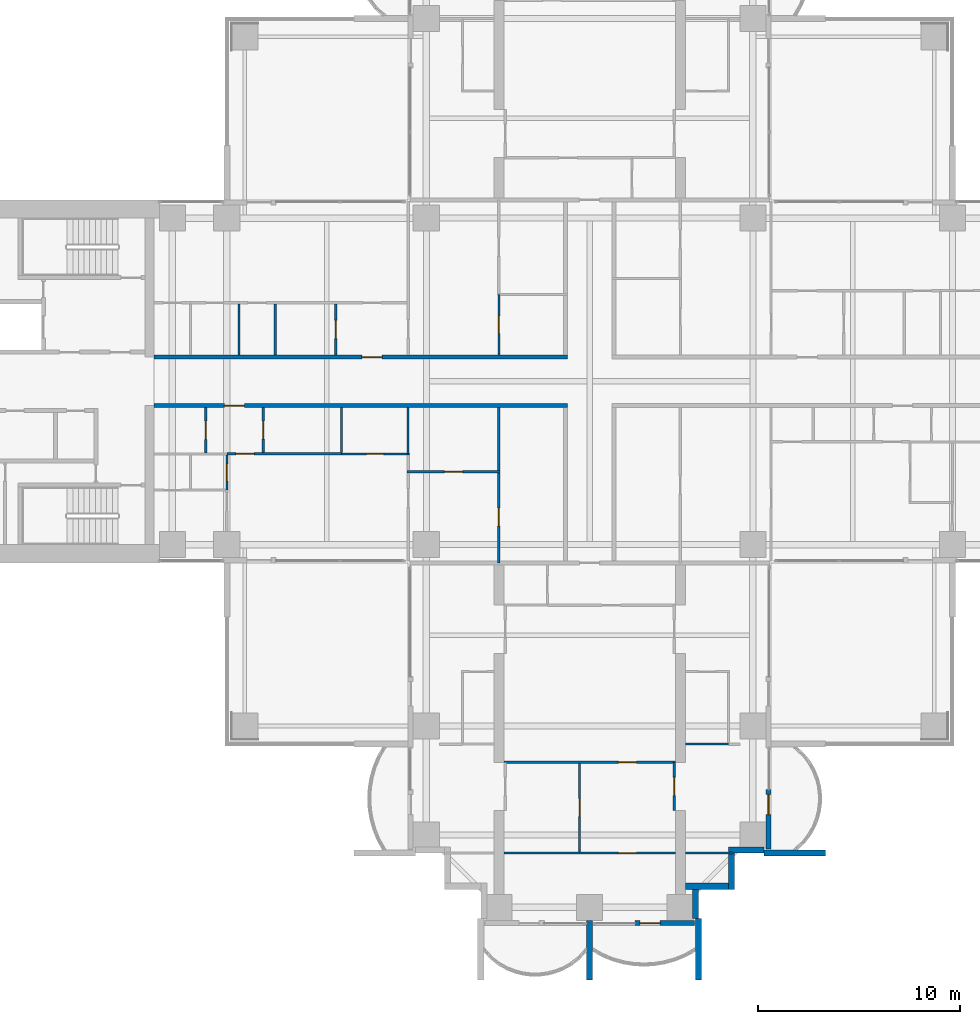
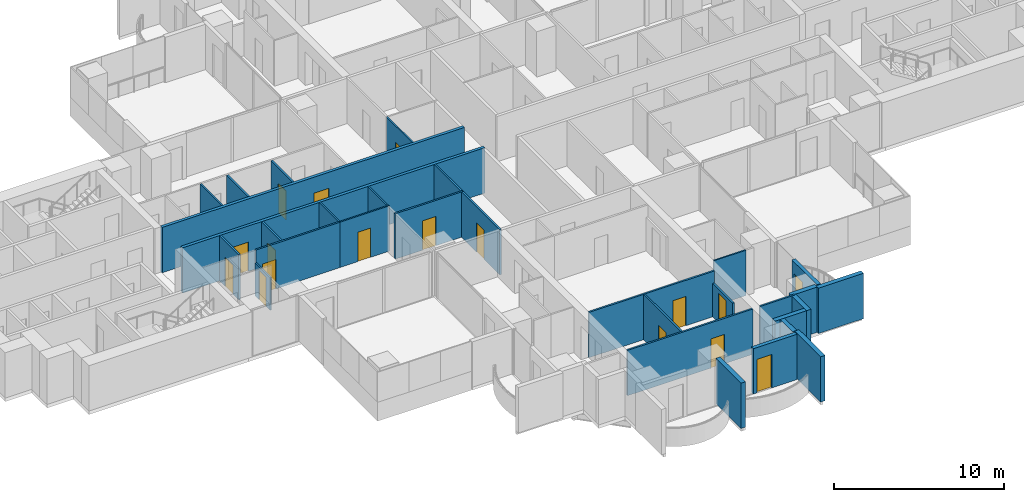
# One storey, part 11 of 21: 30 walls, 17 doors, 17 openings.
"""IFC4 building model written with IfcOpenShell, lengths in metres."""

from ifc_helpers import new_model, si_unit, direction, frame, frame_2d, origin, place, context, subcontext, project, spatial, rectangle, extrude, material, layer, layer_set, type_object, element, fill, save


model = new_model("IFC4")

# Units and contexts
model_context = context("Model", 3, precision=1e-05, world=origin(), true_north=direction((0.0, 1.0)))
body_context = subcontext(model_context, "Body", "Model", "MODEL_VIEW")
ifc_project = project(units=[si_unit("LENGTHUNIT", "METRE"), si_unit("AREAUNIT", "SQUARE_METRE"), si_unit("VOLUMEUNIT", "CUBIC_METRE"), si_unit("PLANEANGLEUNIT", "RADIAN"), si_unit("MASSUNIT", "GRAM", prefix="KILO")], contexts=[model_context])

# Site, building, storey
site_placement = place(None, origin())
site = spatial("IfcSite", under=ifc_project, at=site_placement, CompositionType="ELEMENT")
building_placement = place(site_placement, origin())
building = spatial("IfcBuilding", under=site, at=building_placement, Name="Perihelion Cross Residences", CompositionType="ELEMENT")
storey_placement = place(building_placement, frame((0.0, 0.0, 64.5)))
storey = spatial("IfcBuildingStorey", under=building, at=storey_placement, Name="L13", CompositionType="ELEMENT", Elevation=64.5)

# Wall, opening, door
ifc_material_1 = material(Name="Plasterboard partition")
ifc_layer_1 = layer(ifc_material_1, 0.199951171875)
ifc_layer_set_1 = layer_set([ifc_layer_1], Name="Apartment separation wall 200")
wall_type_1 = type_object("IfcWallType", Name="Apartment separation wall 200", PredefinedType="PARTITIONING", material=ifc_layer_set_1)
wall_1_placement = place(storey_placement, frame((-21.60009765625, 1.199951171875, 0.0), z_axis=(0.0, 0.0, 1.0), x_axis=(1.0, 0.0, 0.0)))
wall_1 = element("IfcWall", 1, at=wall_1_placement, inside=storey, type_object=wall_type_1, Name="Partition L13 W005", PredefinedType="PARTITIONING", context=body_context, shape_type="SweptSolid", body=[
    extrude(rectangle(XDim=20.5, YDim=0.199951171875, at=frame_2d((10.25, 0.0))), origin(), (0.0, 0.0, 1.0), 3.25),
])
opening_1_placement = place(wall_1_placement, frame((10.300048828125, 0.0, 0.0)))
opening_1 = element("IfcOpeningElement", 2, at=opening_1_placement, cuts=wall_1, Name="Opening L13.A55", PredefinedType="OPENING", context=body_context, shape_type="SweptSolid", body=[
    extrude(rectangle(XDim=1.0, YDim=2.10009765625, at=frame_2d((0.5, 1.050048828125))), frame((0.0, 0.10986328125, 0.0), z_axis=(0.0, -1.0, 0.0), x_axis=(1.0, 0.0, 0.0)), (0.0, 0.0, 1.0), 0.219970703125),
])
ifc_material_2 = material(Name="Timber door leaf", Category="wood")
door_type_1 = type_object("IfcDoorType", Name="Flat entrance door 1000 x 2100", OperationType="SINGLE_SWING_LEFT", PredefinedType="DOOR", material=ifc_material_2)
door_1_placement = place(opening_1_placement, origin())
door_1 = element("IfcDoor", 3, at=door_1_placement, inside=storey, type_object=door_type_1, Name="Door L13.A55", OperationType="SINGLE_SWING_LEFT", OverallHeight=2.10009765625, OverallWidth=1.0, PredefinedType="DOOR", context=body_context, shape_type="SweptSolid", body=[
    extrude(rectangle(XDim=1.0, YDim=2.10009765625, at=frame_2d((0.5, 1.050048828125))), frame((0.0, 0.02490234375, 0.0), z_axis=(0.0, -1.0, 0.0), x_axis=(1.0, 0.0, 0.0)), (0.0, 0.0, 1.0), 0.050048828125),
])
fill(opening_1, door_1)

wall_2_placement = place(storey_placement, frame((-1.10009765625, -1.199951171875, 0.0), z_axis=(0.0, 0.0, 1.0), x_axis=(-1.0, 0.0, 0.0)))
wall_2 = element("IfcWall", 4, at=wall_2_placement, inside=storey, type_object=wall_type_1, Name="Partition L13 W007", PredefinedType="PARTITIONING", context=body_context, shape_type="SweptSolid", body=[
    extrude(rectangle(XDim=20.5, YDim=0.199951171875, at=frame_2d((10.25, 0.0))), origin(), (0.0, 0.0, 1.0), 3.25),
])
opening_2_placement = place(wall_2_placement, frame((16.02490234375, 0.0, 0.0)))
opening_2 = element("IfcOpeningElement", 5, at=opening_2_placement, cuts=wall_2, Name="Opening L13.A56", PredefinedType="OPENING", context=body_context, shape_type="SweptSolid", body=[
    extrude(rectangle(XDim=1.0, YDim=2.10009765625, at=frame_2d((0.5, 1.050048828125))), frame((0.0, 0.10986328125, 0.0), z_axis=(0.0, -1.0, 0.0), x_axis=(1.0, 0.0, 0.0)), (0.0, 0.0, 1.0), 0.219970703125),
])
door_2_placement = place(opening_2_placement, origin())
door_2 = element("IfcDoor", 6, at=door_2_placement, inside=storey, type_object=door_type_1, Name="Door L13.A56", OperationType="SINGLE_SWING_RIGHT", OverallHeight=2.10009765625, OverallWidth=1.0, PredefinedType="DOOR", context=body_context, shape_type="SweptSolid", body=[
    extrude(rectangle(XDim=1.0, YDim=2.10009765625, at=frame_2d((0.5, 1.050048828125))), frame((0.0, 0.02490234375, 0.0), z_axis=(0.0, -1.0, 0.0), x_axis=(1.0, 0.0, 0.0)), (0.0, 0.0, 1.0), 0.050048828125),
])
fill(opening_2, door_2)

ifc_material_3 = material(Name="Concrete C30/37, bronze-clad", Category="concrete")
ifc_layer_2 = layer(ifc_material_3, 0.25)
ifc_layer_set_2 = layer_set([ifc_layer_2], Name="Bronze-clad pier wall 250")
wall_type_2 = type_object("IfcWallType", Name="Bronze-clad pier wall 250", PredefinedType="SOLIDWALL", material=ifc_layer_set_2)
wall_3_placement = place(storey_placement, frame((2.25, -26.875, 0.0), z_axis=(0.0, 0.0, 1.0), x_axis=(1.0, 0.0, 0.0)))
wall_3 = element("IfcWall", 7, at=wall_3_placement, inside=storey, type_object=wall_type_2, Name="Wall FW1 L13 south tip south bay 2 pier", PredefinedType="SOLIDWALL", context=body_context, shape_type="SweptSolid", body=[
    extrude(rectangle(XDim=2.949951171875, YDim=0.25, at=frame_2d((1.47509765625, 0.0))), origin(), (0.0, 0.0, 1.0), 3.25),
])
opening_3_placement = place(wall_3_placement, frame((0.25, 0.0, 0.0)))
opening_3 = element("IfcOpeningElement", 8, at=opening_3_placement, cuts=wall_3, Name="Opening L13.E13", PredefinedType="OPENING", context=body_context, shape_type="SweptSolid", body=[
    extrude(rectangle(XDim=1.0, YDim=2.39990234375, at=frame_2d((0.5, 1.199951171875))), frame((0.0, 0.135009765625, 0.0), z_axis=(0.0, -1.0, 0.0), x_axis=(1.0, 0.0, 0.0)), (0.0, 0.0, 1.0), 0.27001953125),
])
ifc_material_4 = material(Name="Bronze anodised aluminium, glazed", Category="aluminium")
door_type_2 = type_object("IfcDoorType", Name="Balcony door 1000 x 2400", OperationType="NOTDEFINED", PredefinedType="DOOR", material=ifc_material_4)
door_3_placement = place(opening_3_placement, origin())
door_3 = element("IfcDoor", 9, at=door_3_placement, inside=storey, type_object=door_type_2, Name="Door L13.E13 south tip south bay 2", OperationType="SINGLE_SWING_RIGHT", OverallHeight=2.39990234375, OverallWidth=1.0, PredefinedType="DOOR", context=body_context, shape_type="SweptSolid", body=[
    extrude(rectangle(XDim=1.0, YDim=2.39990234375, at=frame_2d((0.5, 1.199951171875))), frame((0.0, 0.02490234375, 0.0), z_axis=(0.0, -1.0, 0.0), x_axis=(1.0, 0.0, 0.0)), (0.0, 0.0, 1.0), 0.050048828125),
])
fill(opening_3, door_3)

wall_4_placement = place(storey_placement, frame((8.875, -23.199951171875, 0.0), z_axis=(0.0, 0.0, 1.0), x_axis=(0.0, 1.0, 0.0)))
wall_4 = element("IfcWall", 10, at=wall_4_placement, inside=storey, type_object=wall_type_2, Name="Wall FW1 L13 south side east bay 1 pier", PredefinedType="SOLIDWALL", context=body_context, shape_type="SweptSolid", body=[
    extrude(rectangle(XDim=2.949951171875, YDim=0.25, at=frame_2d((1.47509765625, 0.0))), origin(), (0.0, 0.0, 1.0), 3.25),
])
opening_4_placement = place(wall_4_placement, frame((1.699951171875, 0.0, 0.0)))
opening_4 = element("IfcOpeningElement", 11, at=opening_4_placement, cuts=wall_4, Name="Opening L13.E14", PredefinedType="OPENING", context=body_context, shape_type="SweptSolid", body=[
    extrude(rectangle(XDim=1.0, YDim=2.39990234375, at=frame_2d((0.5, 1.199951171875))), frame((0.0, 0.135009765625, 0.0), z_axis=(0.0, -1.0, 0.0), x_axis=(1.0, 0.0, 0.0)), (0.0, 0.0, 1.0), 0.27001953125),
])
door_4_placement = place(opening_4_placement, origin())
door_4 = element("IfcDoor", 12, at=door_4_placement, inside=storey, type_object=door_type_2, Name="Door L13.E14 south side east bay 1", OperationType="SINGLE_SWING_LEFT", OverallHeight=2.39990234375, OverallWidth=1.0, PredefinedType="DOOR", context=body_context, shape_type="SweptSolid", body=[
    extrude(rectangle(XDim=1.0, YDim=2.39990234375, at=frame_2d((0.5, 1.199951171875))), frame((0.0, 0.02490234375, 0.0), z_axis=(0.0, -1.0, 0.0), x_axis=(1.0, 0.0, 0.0)), (0.0, 0.0, 1.0), 0.050048828125),
])
fill(opening_4, door_4)

# Walls
ifc_material_5 = material(Name="Concrete C30/37, bronze-clad", Category="concrete")
ifc_layer_3 = layer(ifc_material_5, 0.300048828125)
ifc_layer_set_3 = layer_set([ifc_layer_3], Name="Bronze-clad serration wall 300")
wall_type_3 = type_object("IfcWallType", Name="Bronze-clad serration wall 300", PredefinedType="SOLIDWALL", material=ifc_layer_set_3)
wall_5_placement = place(storey_placement, frame((5.25, -26.64990234375, 0.0), z_axis=(0.0, 0.0, 1.0), x_axis=(0.0, 1.0, 0.0)))
element("IfcWall", 13, at=wall_5_placement, inside=storey, type_object=wall_type_3, Name="Wall SR1 L13 south corner south-east 1", PredefinedType="SOLIDWALL", context=body_context, shape_type="SweptSolid", body=[
    extrude(rectangle(XDim=1.449951171875, YDim=0.300048828125, at=frame_2d((0.72509765625, 0.0))), origin(), (0.0, 0.0, 1.0), 3.25),
])
wall_6_placement = place(storey_placement, frame((4.75, -25.050048828125, 0.0), z_axis=(0.0, 0.0, 1.0), x_axis=(1.0, 0.0, 0.0)))
element("IfcWall", 14, at=wall_6_placement, inside=storey, type_object=wall_type_3, Name="Wall SR1 L13 south corner south-east 2", PredefinedType="SOLIDWALL", context=body_context, shape_type="SweptSolid", body=[
    extrude(rectangle(XDim=2.14990234375, YDim=0.300048828125, at=frame_2d((1.074951171875, 0.0))), origin(), (0.0, 0.0, 1.0), 3.25),
])
wall_7_placement = place(storey_placement, frame((7.050048828125, -25.199951171875, 0.0), z_axis=(0.0, 0.0, 1.0), x_axis=(0.0, 1.0, 0.0)))
element("IfcWall", 15, at=wall_7_placement, inside=storey, type_object=wall_type_3, Name="Wall SR1 L13 south corner south-east 3", PredefinedType="SOLIDWALL", context=body_context, shape_type="SweptSolid", body=[
    extrude(rectangle(XDim=1.800048828125, YDim=0.300048828125, at=frame_2d((0.89990234375, 0.0))), origin(), (0.0, 0.0, 1.0), 3.25),
])
wall_8_placement = place(storey_placement, frame((6.89990234375, -23.25, 0.0), z_axis=(0.0, 0.0, 1.0), x_axis=(1.0, 0.0, 0.0)))
element("IfcWall", 16, at=wall_8_placement, inside=storey, type_object=wall_type_3, Name="Wall SR1 L13 south corner south-east 4", PredefinedType="SOLIDWALL", context=body_context, shape_type="SweptSolid", body=[
    extrude(rectangle(XDim=1.75, YDim=0.300048828125, at=frame_2d((0.875, 0.0))), origin(), (0.0, 0.0, 1.0), 3.25),
])

# Wall, opening, door
ifc_material_6 = material(Name="Plasterboard partition")
ifc_layer_4 = layer(ifc_material_6, 0.1201171875)
ifc_layer_set_4 = layer_set([ifc_layer_4], Name="Infill panel 120")
wall_type_4 = type_object("IfcWallType", Name="Infill panel 120", PredefinedType="PARTITIONING", material=ifc_layer_set_4)
wall_9_placement = place(storey_placement, frame((4.18994140625, -18.89990234375, 0.0), z_axis=(0.0, 0.0, 1.0), x_axis=(0.0, -1.0, 0.0)))
wall_9 = element("IfcWall", 17, at=wall_9_placement, inside=storey, type_object=wall_type_4, Name="Partition L13 WI06", PredefinedType="PARTITIONING", context=body_context, shape_type="SweptSolid", body=[
    extrude(rectangle(XDim=2.400146484375, YDim=0.1201171875, at=frame_2d((1.2001953125, 0.0))), origin(), (0.0, 0.0, 1.0), 2.39990234375),
])
opening_5_placement = place(wall_9_placement, frame((0.75, 0.0, 0.0)))
opening_5 = element("IfcOpeningElement", 18, at=opening_5_placement, cuts=wall_9, Name="Opening L13.A62", PredefinedType="OPENING", context=body_context, shape_type="SweptSolid", body=[
    extrude(rectangle(XDim=0.89990234375, YDim=2.10009765625, at=frame_2d((0.449951171875, 1.050048828125))), frame((0.0, 0.070068359375, 0.0), z_axis=(0.0, -1.0, 0.0), x_axis=(1.0, 0.0, 0.0)), (0.0, 0.0, 1.0), 0.14013671875),
])
ifc_material_7 = material(Name="Timber door leaf", Category="wood")
door_type_3 = type_object("IfcDoorType", Name="Interior room door 900 x 2100", OperationType="SINGLE_SWING_LEFT", PredefinedType="DOOR", material=ifc_material_7)
door_5_placement = place(opening_5_placement, origin())
door_5 = element("IfcDoor", 19, at=door_5_placement, inside=storey, type_object=door_type_3, Name="Door L13.A62", OperationType="SINGLE_SWING_LEFT", OverallHeight=2.10009765625, OverallWidth=0.89990234375, PredefinedType="DOOR", context=body_context, shape_type="SweptSolid", body=[
    extrude(rectangle(XDim=0.89990234375, YDim=2.10009765625, at=frame_2d((0.449951171875, 1.050048828125))), frame((0.0, 0.02490234375, 0.0), z_axis=(0.0, -1.0, 0.0), x_axis=(1.0, 0.0, 0.0)), (0.0, 0.0, 1.0), 0.050048828125),
])
fill(opening_5, door_5)

ifc_material_8 = material(Name="Plasterboard partition")
ifc_layer_5 = layer(ifc_material_8, 0.1201171875)
ifc_layer_set_5 = layer_set([ifc_layer_5], Name="Partition wall 120")
wall_type_5 = type_object("IfcWallType", Name="Partition wall 120", PredefinedType="PARTITIONING", material=ifc_layer_set_5)
wall_10_placement = place(storey_placement, frame((-12.60009765625, 1.300048828125, 0.0), z_axis=(0.0, 0.0, 1.0), x_axis=(0.0, 1.0, 0.0)))
wall_10 = element("IfcWall", 20, at=wall_10_placement, inside=storey, type_object=wall_type_5, Name="Partition L13 W035", PredefinedType="PARTITIONING", context=body_context, shape_type="SweptSolid", body=[
    extrude(rectangle(XDim=2.5400390625, YDim=0.1201171875, at=frame_2d((1.27001953125, 0.0))), origin(), (0.0, 0.0, 1.0), 3.25),
])
opening_6_placement = place(wall_10_placement, frame((0.820068359375, 0.0, 0.0)))
opening_6 = element("IfcOpeningElement", 21, at=opening_6_placement, cuts=wall_10, Name="Opening L13.A20", PredefinedType="OPENING", context=body_context, shape_type="SweptSolid", body=[
    extrude(rectangle(XDim=0.89990234375, YDim=2.10009765625, at=frame_2d((0.449951171875, 1.050048828125))), frame((0.0, 0.070068359375, 0.0), z_axis=(0.0, -1.0, 0.0), x_axis=(1.0, 0.0, 0.0)), (0.0, 0.0, 1.0), 0.14013671875),
])
door_6_placement = place(opening_6_placement, origin())
door_6 = element("IfcDoor", 22, at=door_6_placement, inside=storey, type_object=door_type_3, Name="Door L13.A20", OperationType="SINGLE_SWING_RIGHT", OverallHeight=2.10009765625, OverallWidth=0.89990234375, PredefinedType="DOOR", context=body_context, shape_type="SweptSolid", body=[
    extrude(rectangle(XDim=0.89990234375, YDim=2.10009765625, at=frame_2d((0.449951171875, 1.050048828125))), frame((0.0, 0.02490234375, 0.0), z_axis=(0.0, -1.0, 0.0), x_axis=(1.0, 0.0, 0.0)), (0.0, 0.0, 1.0), 0.050048828125),
])
fill(opening_6, door_6)

# Wall
wall_11_placement = place(storey_placement, frame((-15.60009765625, 1.300048828125, 0.0), z_axis=(0.0, 0.0, 1.0), x_axis=(0.0, 1.0, 0.0)))
element("IfcWall", 23, at=wall_11_placement, inside=storey, type_object=wall_type_5, Name="Partition L13 W038", PredefinedType="PARTITIONING", context=body_context, shape_type="SweptSolid", body=[
    extrude(rectangle(XDim=2.5400390625, YDim=0.1201171875, at=frame_2d((1.27001953125, 0.0))), origin(), (0.0, 0.0, 1.0), 3.25),
])

# Wall, opening, door
wall_12_placement = place(storey_placement, frame((-16.199951171875, -3.5400390625, 0.0), z_axis=(0.0, 0.0, 1.0), x_axis=(0.0, 1.0, 0.0)))
wall_12 = element("IfcWall", 24, at=wall_12_placement, inside=storey, type_object=wall_type_5, Name="Partition L13 W049", PredefinedType="PARTITIONING", context=body_context, shape_type="SweptSolid", body=[
    extrude(rectangle(XDim=2.239990234375, YDim=0.1201171875, at=frame_2d((1.1201171875, 0.0))), origin(), (0.0, 0.0, 1.0), 3.25),
])
opening_7_placement = place(wall_12_placement, frame((0.669921875, 0.0, 0.0)))
opening_7 = element("IfcOpeningElement", 25, at=opening_7_placement, cuts=wall_12, Name="Opening L13.A31", PredefinedType="OPENING", context=body_context, shape_type="SweptSolid", body=[
    extrude(rectangle(XDim=0.89990234375, YDim=2.10009765625, at=frame_2d((0.449951171875, 1.050048828125))), frame((0.0, 0.070068359375, 0.0), z_axis=(0.0, -1.0, 0.0), x_axis=(1.0, 0.0, 0.0)), (0.0, 0.0, 1.0), 0.14013671875),
])
door_7_placement = place(opening_7_placement, origin())
door_7 = element("IfcDoor", 26, at=door_7_placement, inside=storey, type_object=door_type_3, Name="Door L13.A31", OperationType="SINGLE_SWING_RIGHT", OverallHeight=2.10009765625, OverallWidth=0.89990234375, PredefinedType="DOOR", context=body_context, shape_type="SweptSolid", body=[
    extrude(rectangle(XDim=0.89990234375, YDim=2.10009765625, at=frame_2d((0.449951171875, 1.050048828125))), frame((0.0, 0.02490234375, 0.0), z_axis=(0.0, -1.0, 0.0), x_axis=(1.0, 0.0, 0.0)), (0.0, 0.0, 1.0), 0.050048828125),
])
fill(opening_7, door_7)

wall_13_placement = place(storey_placement, frame((-12.300048828125, -3.60009765625, 0.0), z_axis=(0.0, 0.0, 1.0), x_axis=(-1.0, 0.0, 0.0)))
wall_13 = element("IfcWall", 27, at=wall_13_placement, inside=storey, type_object=wall_type_5, Name="Partition L13 W050", PredefinedType="PARTITIONING", context=body_context, shape_type="SweptSolid", body=[
    extrude(rectangle(XDim=5.699951171875, YDim=0.1201171875, at=frame_2d((2.85009765625, 0.0))), origin(), (0.0, 0.0, 1.0), 3.25),
])
opening_8_placement = place(wall_13_placement, frame((4.35009765625, 0.0, 0.0)))
opening_8 = element("IfcOpeningElement", 28, at=opening_8_placement, cuts=wall_13, Name="Opening L13.A33", PredefinedType="OPENING", context=body_context, shape_type="SweptSolid", body=[
    extrude(rectangle(XDim=0.89990234375, YDim=2.10009765625, at=frame_2d((0.449951171875, 1.050048828125))), frame((0.0, 0.070068359375, 0.0), z_axis=(0.0, -1.0, 0.0), x_axis=(1.0, 0.0, 0.0)), (0.0, 0.0, 1.0), 0.14013671875),
])
door_8_placement = place(opening_8_placement, origin())
door_8 = element("IfcDoor", 29, at=door_8_placement, inside=storey, type_object=door_type_3, Name="Door L13.A33", OperationType="SINGLE_SWING_RIGHT", OverallHeight=2.10009765625, OverallWidth=0.89990234375, PredefinedType="DOOR", context=body_context, shape_type="SweptSolid", body=[
    extrude(rectangle(XDim=0.89990234375, YDim=2.10009765625, at=frame_2d((0.449951171875, 1.050048828125))), frame((0.0, 0.02490234375, 0.0), z_axis=(0.0, -1.0, 0.0), x_axis=(1.0, 0.0, 0.0)), (0.0, 0.0, 1.0), 0.050048828125),
])
fill(opening_8, door_8)

wall_14_placement = place(storey_placement, frame((-19.050048828125, -3.550048828125, 0.0), z_axis=(0.0, 0.0, 1.0), x_axis=(0.0, 1.0, 0.0)))
wall_14 = element("IfcWall", 30, at=wall_14_placement, inside=storey, type_object=wall_type_5, Name="Partition L13 W051", PredefinedType="PARTITIONING", context=body_context, shape_type="SweptSolid", body=[
    extrude(rectangle(XDim=2.25, YDim=0.1201171875, at=frame_2d((1.125, 0.0))), origin(), (0.0, 0.0, 1.0), 3.25),
])
opening_9_placement = place(wall_14_placement, frame((0.675048828125, 0.0, 0.0)))
opening_9 = element("IfcOpeningElement", 31, at=opening_9_placement, cuts=wall_14, Name="Opening L13.A27", PredefinedType="OPENING", context=body_context, shape_type="SweptSolid", body=[
    extrude(rectangle(XDim=0.89990234375, YDim=2.10009765625, at=frame_2d((0.449951171875, 1.050048828125))), frame((0.0, 0.070068359375, 0.0), z_axis=(0.0, -1.0, 0.0), x_axis=(1.0, 0.0, 0.0)), (0.0, 0.0, 1.0), 0.14013671875),
])
door_9_placement = place(opening_9_placement, origin())
door_9 = element("IfcDoor", 32, at=door_9_placement, inside=storey, type_object=door_type_3, Name="Door L13.A27", OperationType="SINGLE_SWING_RIGHT", OverallHeight=2.10009765625, OverallWidth=0.89990234375, PredefinedType="DOOR", context=body_context, shape_type="SweptSolid", body=[
    extrude(rectangle(XDim=0.89990234375, YDim=2.10009765625, at=frame_2d((0.449951171875, 1.050048828125))), frame((0.0, 0.02490234375, 0.0), z_axis=(0.0, -1.0, 0.0), x_axis=(1.0, 0.0, 0.0)), (0.0, 0.0, 1.0), 0.050048828125),
])
fill(opening_9, door_9)

wall_15_placement = place(storey_placement, frame((-4.43994140625, -4.47607421875, 0.0), z_axis=(0.0, 0.0, 1.0), x_axis=(-1.0, 0.0, 0.0)))
wall_15 = element("IfcWall", 33, at=wall_15_placement, inside=storey, type_object=wall_type_5, Name="Partition L13 W058", PredefinedType="PARTITIONING", context=body_context, shape_type="SweptSolid", body=[
    extrude(rectangle(XDim=4.6201171875, YDim=0.1201171875, at=frame_2d((2.31005859375, 0.0))), origin(), (0.0, 0.0, 1.0), 3.25),
])
opening_10_placement = place(wall_15_placement, frame((1.860107421875, 0.0, 0.0)))
opening_10 = element("IfcOpeningElement", 34, at=opening_10_placement, cuts=wall_15, Name="Opening L13.A32", PredefinedType="OPENING", context=body_context, shape_type="SweptSolid", body=[
    extrude(rectangle(XDim=0.89990234375, YDim=2.10009765625, at=frame_2d((0.449951171875, 1.050048828125))), frame((0.0, 0.070068359375, 0.0), z_axis=(0.0, -1.0, 0.0), x_axis=(1.0, 0.0, 0.0)), (0.0, 0.0, 1.0), 0.14013671875),
])
door_10_placement = place(opening_10_placement, origin())
door_10 = element("IfcDoor", 35, at=door_10_placement, inside=storey, type_object=door_type_3, Name="Door L13.A32", OperationType="SINGLE_SWING_LEFT", OverallHeight=2.10009765625, OverallWidth=0.89990234375, PredefinedType="DOOR", context=body_context, shape_type="SweptSolid", body=[
    extrude(rectangle(XDim=0.89990234375, YDim=2.10009765625, at=frame_2d((0.449951171875, 1.050048828125))), frame((0.0, 0.02490234375, 0.0), z_axis=(0.0, -1.0, 0.0), x_axis=(1.0, 0.0, 0.0)), (0.0, 0.0, 1.0), 0.050048828125),
])
fill(opening_10, door_10)

wall_16_placement = place(storey_placement, frame((-4.5, -1.300048828125, 0.0), z_axis=(0.0, 0.0, 1.0), x_axis=(0.0, -1.0, 0.0)))
wall_16 = element("IfcWall", 36, at=wall_16_placement, inside=storey, type_object=wall_type_5, Name="Partition L13 W059", PredefinedType="PARTITIONING", context=body_context, shape_type="SweptSolid", body=[
    extrude(rectangle(XDim=7.699951171875, YDim=0.1201171875, at=frame_2d((3.85009765625, 0.0))), origin(), (0.0, 0.0, 1.0), 3.25),
])
opening_11_placement = place(wall_16_placement, frame((4.988037109375, 0.0, 0.0)))
opening_11 = element("IfcOpeningElement", 37, at=opening_11_placement, cuts=wall_16, Name="Opening L13.A34", PredefinedType="OPENING", context=body_context, shape_type="SweptSolid", body=[
    extrude(rectangle(XDim=0.89990234375, YDim=2.10009765625, at=frame_2d((0.449951171875, 1.050048828125))), frame((0.0, 0.070068359375, 0.0), z_axis=(0.0, -1.0, 0.0), x_axis=(1.0, 0.0, 0.0)), (0.0, 0.0, 1.0), 0.14013671875),
])
door_11_placement = place(opening_11_placement, origin())
door_11 = element("IfcDoor", 38, at=door_11_placement, inside=storey, type_object=door_type_3, Name="Door L13.A34", OperationType="SINGLE_SWING_LEFT", OverallHeight=2.10009765625, OverallWidth=0.89990234375, PredefinedType="DOOR", context=body_context, shape_type="SweptSolid", body=[
    extrude(rectangle(XDim=0.89990234375, YDim=2.10009765625, at=frame_2d((0.449951171875, 1.050048828125))), frame((0.0, 0.02490234375, 0.0), z_axis=(0.0, -1.0, 0.0), x_axis=(1.0, 0.0, 0.0)), (0.0, 0.0, 1.0), 0.050048828125),
])
fill(opening_11, door_11)

wall_17_placement = place(storey_placement, frame((4.25, -18.89990234375, 0.0), z_axis=(0.0, 0.0, 1.0), x_axis=(-1.0, 0.0, 0.0)))
wall_17 = element("IfcWall", 39, at=wall_17_placement, inside=storey, type_object=wall_type_5, Name="Partition L13 W081", PredefinedType="PARTITIONING", context=body_context, shape_type="SweptSolid", body=[
    extrude(rectangle(XDim=8.5, YDim=0.1201171875, at=frame_2d((4.25, 0.0))), origin(), (0.0, 0.0, 1.0), 3.25),
])
opening_12_placement = place(wall_17_placement, frame((1.925048828125, 0.0, 0.0)))
opening_12 = element("IfcOpeningElement", 40, at=opening_12_placement, cuts=wall_17, Name="Opening L13.A48", PredefinedType="OPENING", context=body_context, shape_type="SweptSolid", body=[
    extrude(rectangle(XDim=0.89990234375, YDim=2.10009765625, at=frame_2d((0.449951171875, 1.050048828125))), frame((0.0, 0.070068359375, 0.0), z_axis=(0.0, -1.0, 0.0), x_axis=(1.0, 0.0, 0.0)), (0.0, 0.0, 1.0), 0.14013671875),
])
door_12_placement = place(opening_12_placement, origin())
door_12 = element("IfcDoor", 41, at=door_12_placement, inside=storey, type_object=door_type_3, Name="Door L13.A48", OperationType="SINGLE_SWING_LEFT", OverallHeight=2.10009765625, OverallWidth=0.89990234375, PredefinedType="DOOR", context=body_context, shape_type="SweptSolid", body=[
    extrude(rectangle(XDim=0.89990234375, YDim=2.10009765625, at=frame_2d((0.449951171875, 1.050048828125))), frame((0.0, 0.02490234375, 0.0), z_axis=(0.0, -1.0, 0.0), x_axis=(1.0, 0.0, 0.0)), (0.0, 0.0, 1.0), 0.050048828125),
])
fill(opening_12, door_12)

wall_18_placement = place(storey_placement, frame((-0.5, -23.340087890625, 0.0), z_axis=(0.0, 0.0, 1.0), x_axis=(0.0, 1.0, 0.0)))
wall_18 = element("IfcWall", 42, at=wall_18_placement, inside=storey, type_object=wall_type_5, Name="Partition L13 W082", PredefinedType="PARTITIONING", context=body_context, shape_type="SweptSolid", body=[
    extrude(rectangle(XDim=4.380126953125, YDim=0.1201171875, at=frame_2d((2.18994140625, 0.0))), origin(), (0.0, 0.0, 1.0), 3.25),
])
opening_13_placement = place(wall_18_placement, frame((1.739990234375, 0.0, 0.0)))
opening_13 = element("IfcOpeningElement", 43, at=opening_13_placement, cuts=wall_18, Name="Opening L13.A49", PredefinedType="OPENING", context=body_context, shape_type="SweptSolid", body=[
    extrude(rectangle(XDim=0.89990234375, YDim=2.10009765625, at=frame_2d((0.449951171875, 1.050048828125))), frame((0.0, 0.070068359375, 0.0), z_axis=(0.0, -1.0, 0.0), x_axis=(1.0, 0.0, 0.0)), (0.0, 0.0, 1.0), 0.14013671875),
])
door_13_placement = place(opening_13_placement, origin())
door_13 = element("IfcDoor", 44, at=door_13_placement, inside=storey, type_object=door_type_3, Name="Door L13.A49", OperationType="SINGLE_SWING_RIGHT", OverallHeight=2.10009765625, OverallWidth=0.89990234375, PredefinedType="DOOR", context=body_context, shape_type="SweptSolid", body=[
    extrude(rectangle(XDim=0.89990234375, YDim=2.10009765625, at=frame_2d((0.449951171875, 1.050048828125))), frame((0.0, 0.02490234375, 0.0), z_axis=(0.0, -1.0, 0.0), x_axis=(1.0, 0.0, 0.0)), (0.0, 0.0, 1.0), 0.050048828125),
])
fill(opening_13, door_13)

wall_19_placement = place(storey_placement, frame((4.25, -23.39990234375, 0.0), z_axis=(0.0, 0.0, 1.0), x_axis=(-1.0, 0.0, 0.0)))
wall_19 = element("IfcWall", 45, at=wall_19_placement, inside=storey, type_object=wall_type_5, Name="Partition L13 W083", PredefinedType="PARTITIONING", context=body_context, shape_type="SweptSolid", body=[
    extrude(rectangle(XDim=8.5, YDim=0.1201171875, at=frame_2d((4.25, 0.0))), origin(), (0.0, 0.0, 1.0), 3.25),
])
opening_14_placement = place(wall_19_placement, frame((1.925048828125, 0.0, 0.0)))
opening_14 = element("IfcOpeningElement", 46, at=opening_14_placement, cuts=wall_19, Name="Opening L13.A50", PredefinedType="OPENING", context=body_context, shape_type="SweptSolid", body=[
    extrude(rectangle(XDim=0.89990234375, YDim=2.10009765625, at=frame_2d((0.449951171875, 1.050048828125))), frame((0.0, 0.070068359375, 0.0), z_axis=(0.0, -1.0, 0.0), x_axis=(1.0, 0.0, 0.0)), (0.0, 0.0, 1.0), 0.14013671875),
])
door_14_placement = place(opening_14_placement, origin())
door_14 = element("IfcDoor", 47, at=door_14_placement, inside=storey, type_object=door_type_3, Name="Door L13.A50", OperationType="SINGLE_SWING_RIGHT", OverallHeight=2.10009765625, OverallWidth=0.89990234375, PredefinedType="DOOR", context=body_context, shape_type="SweptSolid", body=[
    extrude(rectangle(XDim=0.89990234375, YDim=2.10009765625, at=frame_2d((0.449951171875, 1.050048828125))), frame((0.0, 0.02490234375, 0.0), z_axis=(0.0, -1.0, 0.0), x_axis=(1.0, 0.0, 0.0)), (0.0, 0.0, 1.0), 0.050048828125),
])
fill(opening_14, door_14)

# Walls
wall_20_placement = place(storey_placement, frame((7.1201171875, -23.39990234375, 0.0), z_axis=(0.0, 0.0, 1.0), x_axis=(-1.0, 0.0, 0.0)))
element("IfcWall", 48, at=wall_20_placement, inside=storey, type_object=wall_type_5, Name="Partition L13 W088", PredefinedType="PARTITIONING", context=body_context, shape_type="SweptSolid", body=[
    extrude(rectangle(XDim=2.3701171875, YDim=0.1201171875, at=frame_2d((1.18505859375, 0.0))), origin(), (0.0, 0.0, 1.0), 3.25),
])
ifc_material_9 = material(Name="Precast concrete C50/60", Category="concrete")
ifc_layer_6 = layer(ifc_material_9, 0.300048828125)
ifc_layer_set_6 = layer_set([ifc_layer_6], Name="Precast concrete C50/60 blade wall 300")
wall_type_6 = type_object("IfcWallType", Name="Precast concrete C50/60 blade wall 300", PredefinedType="SOLIDWALL", material=ifc_layer_set_6)
wall_21_placement = place(storey_placement, frame((0.0, -26.75, 0.0), z_axis=(0.0, 0.0, 1.0), x_axis=(0.0, -1.0, 0.0)))
element("IfcWall", 49, at=wall_21_placement, inside=storey, type_object=wall_type_6, Name="Wall BL1 L13 no. 9", PredefinedType="SOLIDWALL", context=body_context, shape_type="SweptSolid", body=[
    extrude(rectangle(XDim=2.949951171875, YDim=0.300048828125, at=frame_2d((1.47509765625, 0.0))), origin(), (0.0, 0.0, 1.0), 3.25),
])
for number, where, z_axis, x_axis, name in (
    (50, (5.39990234375, -26.64990234375, 0.0), (0.0, 0.0, 1.0), (0.0, -1.0, 0.0), "Wall BL1 L13 no. 13"),
    (51, (8.64990234375, -23.39990234375, 0.0), (0.0, 0.0, 1.0), (1.0, 0.0, 0.0), "Wall BL1 L13 no. 16"),
):
    element("IfcWall", number, at=place(storey_placement, frame(where, z_axis=z_axis, x_axis=x_axis)), inside=storey, type_object=wall_type_6, Name=name, PredefinedType="SOLIDWALL", context=body_context, shape_type="SweptSolid", body=[
        extrude(rectangle(XDim=3.050048828125, YDim=0.300048828125, at=frame_2d((1.52490234375, 0.0))), origin(), (0.0, 0.0, 1.0), 3.25),
    ])
ifc_material_10 = material(Name="Plasterboard partition")
ifc_layer_7 = layer(ifc_material_10, 0.10009765625)
ifc_layer_set_7 = layer_set([ifc_layer_7], Name="Wet room wall 100")
wall_type_7 = type_object("IfcWallType", Name="Wet room wall 100", PredefinedType="PARTITIONING", material=ifc_layer_set_7)
wall_22_placement = place(storey_placement, frame((-17.39990234375, 1.300048828125, 0.0), z_axis=(0.0, 0.0, 1.0), x_axis=(0.0, 1.0, 0.0)))
element("IfcWall", 52, at=wall_22_placement, inside=storey, type_object=wall_type_7, Name="Partition L13 W039", PredefinedType="PARTITIONING", context=body_context, shape_type="SweptSolid", body=[
    extrude(rectangle(XDim=2.5400390625, YDim=0.10009765625, at=frame_2d((1.27001953125, 0.0))), origin(), (0.0, 0.0, 1.0), 3.25),
])

# Wall, opening, door
wall_23_placement = place(storey_placement, frame((-4.5, 4.320068359375, 0.0), z_axis=(0.0, 0.0, 1.0), x_axis=(0.0, -1.0, 0.0)))
wall_23 = element("IfcWall", 53, at=wall_23_placement, inside=storey, type_object=wall_type_7, Name="Partition L13 W043", PredefinedType="PARTITIONING", context=body_context, shape_type="SweptSolid", body=[
    extrude(rectangle(XDim=3.02001953125, YDim=0.10009765625, at=frame_2d((1.510009765625, 0.0))), origin(), (0.0, 0.0, 1.0), 3.25),
])
opening_15_placement = place(wall_23_placement, frame((1.0849609375, 0.0, 0.0)))
opening_15 = element("IfcOpeningElement", 54, at=opening_15_placement, cuts=wall_23, Name="Opening L13.A24", PredefinedType="OPENING", context=body_context, shape_type="SweptSolid", body=[
    extrude(rectangle(XDim=0.85009765625, YDim=2.10009765625, at=frame_2d((0.425048828125, 1.050048828125))), frame((0.0, 0.06005859375, 0.0), z_axis=(0.0, -1.0, 0.0), x_axis=(1.0, 0.0, 0.0)), (0.0, 0.0, 1.0), 0.1201171875),
])
ifc_material_11 = material(Name="Timber door leaf", Category="wood")
door_type_4 = type_object("IfcDoorType", Name="Interior bathroom door 850 x 2100", OperationType="SINGLE_SWING_LEFT", PredefinedType="DOOR", material=ifc_material_11)
door_15_placement = place(opening_15_placement, origin())
door_15 = element("IfcDoor", 55, at=door_15_placement, inside=storey, type_object=door_type_4, Name="Door L13.A24", OperationType="SINGLE_SWING_RIGHT", OverallHeight=2.10009765625, OverallWidth=0.85009765625, PredefinedType="DOOR", context=body_context, shape_type="SweptSolid", body=[
    extrude(rectangle(XDim=0.85009765625, YDim=2.10009765625, at=frame_2d((0.425048828125, 1.050048828125))), frame((0.0, 0.02490234375, 0.0), z_axis=(0.0, -1.0, 0.0), x_axis=(1.0, 0.0, 0.0)), (0.0, 0.0, 1.0), 0.050048828125),
])
fill(opening_15, door_15)

# Wall
wall_24_placement = place(storey_placement, frame((-12.300048828125, -3.5400390625, 0.0), z_axis=(0.0, 0.0, 1.0), x_axis=(0.0, 1.0, 0.0)))
element("IfcWall", 56, at=wall_24_placement, inside=storey, type_object=wall_type_7, Name="Partition L13 W046", PredefinedType="PARTITIONING", context=body_context, shape_type="SweptSolid", body=[
    extrude(rectangle(XDim=2.239990234375, YDim=0.10009765625, at=frame_2d((1.1201171875, 0.0))), origin(), (0.0, 0.0, 1.0), 3.25),
])

# Wall, opening, door
wall_25_placement = place(storey_placement, frame((-8.93994140625, -3.60009765625, 0.0), z_axis=(0.0, 0.0, 1.0), x_axis=(-1.0, 0.0, 0.0)))
wall_25 = element("IfcWall", 57, at=wall_25_placement, inside=storey, type_object=wall_type_7, Name="Partition L13 W047", PredefinedType="PARTITIONING", context=body_context, shape_type="SweptSolid", body=[
    extrude(rectangle(XDim=3.360107421875, YDim=0.10009765625, at=frame_2d((1.68017578125, 0.0))), origin(), (0.0, 0.0, 1.0), 3.25),
])
opening_16_placement = place(wall_25_placement, frame((1.284912109375, 0.0, 0.0)))
opening_16 = element("IfcOpeningElement", 58, at=opening_16_placement, cuts=wall_25, Name="Opening L13.A30", PredefinedType="OPENING", context=body_context, shape_type="SweptSolid", body=[
    extrude(rectangle(XDim=0.85009765625, YDim=2.10009765625, at=frame_2d((0.425048828125, 1.050048828125))), frame((0.0, 0.06005859375, 0.0), z_axis=(0.0, -1.0, 0.0), x_axis=(1.0, 0.0, 0.0)), (0.0, 0.0, 1.0), 0.1201171875),
])
door_16_placement = place(opening_16_placement, origin())
door_16 = element("IfcDoor", 59, at=door_16_placement, inside=storey, type_object=door_type_4, Name="Door L13.A30", OperationType="SINGLE_SWING_LEFT", OverallHeight=2.10009765625, OverallWidth=0.85009765625, PredefinedType="DOOR", context=body_context, shape_type="SweptSolid", body=[
    extrude(rectangle(XDim=0.85009765625, YDim=2.10009765625, at=frame_2d((0.425048828125, 1.050048828125))), frame((0.0, 0.02490234375, 0.0), z_axis=(0.0, -1.0, 0.0), x_axis=(1.0, 0.0, 0.0)), (0.0, 0.0, 1.0), 0.050048828125),
])
fill(opening_16, door_16)

# Wall
wall_26_placement = place(storey_placement, frame((-9.0, -1.300048828125, 0.0), z_axis=(0.0, 0.0, 1.0), x_axis=(0.0, -1.0, 0.0)))
element("IfcWall", 60, at=wall_26_placement, inside=storey, type_object=wall_type_7, Name="Partition L13 W048", PredefinedType="PARTITIONING", context=body_context, shape_type="SweptSolid", body=[
    extrude(rectangle(XDim=2.300048828125, YDim=0.10009765625, at=frame_2d((1.14990234375, 0.0))), origin(), (0.0, 0.0, 1.0), 3.25),
])

# Wall, opening, door
wall_27_placement = place(storey_placement, frame((-18.0, -5.39990234375, 0.0), z_axis=(0.0, 0.0, 1.0), x_axis=(0.0, 1.0, 0.0)))
wall_27 = element("IfcWall", 61, at=wall_27_placement, inside=storey, type_object=wall_type_7, Name="Partition L13 W053", PredefinedType="PARTITIONING", context=body_context, shape_type="SweptSolid", body=[
    extrude(rectangle(XDim=1.739990234375, YDim=0.10009765625, at=frame_2d((0.8701171875, 0.0))), origin(), (0.0, 0.0, 1.0), 2.345947265625),
])
opening_17_placement = place(wall_27_placement, frame((0.445068359375, 0.0, 0.0)))
opening_17 = element("IfcOpeningElement", 62, at=opening_17_placement, cuts=wall_27, Name="Opening L13.A29", PredefinedType="OPENING", context=body_context, shape_type="SweptSolid", body=[
    extrude(rectangle(XDim=0.85009765625, YDim=2.10009765625, at=frame_2d((0.425048828125, 1.050048828125))), frame((0.0, 0.06005859375, 0.0), z_axis=(0.0, -1.0, 0.0), x_axis=(1.0, 0.0, 0.0)), (0.0, 0.0, 1.0), 0.1201171875),
])
door_17_placement = place(opening_17_placement, origin())
door_17 = element("IfcDoor", 63, at=door_17_placement, inside=storey, type_object=door_type_4, Name="Door L13.A29", OperationType="SINGLE_SWING_LEFT", OverallHeight=2.10009765625, OverallWidth=0.85009765625, PredefinedType="DOOR", context=body_context, shape_type="SweptSolid", body=[
    extrude(rectangle(XDim=0.85009765625, YDim=2.10009765625, at=frame_2d((0.425048828125, 1.050048828125))), frame((0.0, 0.02490234375, 0.0), z_axis=(0.0, -1.0, 0.0), x_axis=(1.0, 0.0, 0.0)), (0.0, 0.0, 1.0), 0.050048828125),
])
fill(opening_17, door_17)

# Wall
wall_28_placement = place(storey_placement, frame((6.89990234375, -18.0, 0.0), z_axis=(0.0, 0.0, 1.0), x_axis=(-1.0, 0.0, 0.0)))
element("IfcWall", 64, at=wall_28_placement, inside=storey, type_object=wall_type_7, Name="Partition L13 W087", PredefinedType="PARTITIONING", context=body_context, shape_type="SweptSolid", body=[
    extrude(rectangle(XDim=2.14990234375, YDim=0.10009765625, at=frame_2d((1.074951171875, 0.0))), origin(), (0.0, 0.0, 1.0), 3.25),
])

save(model, "model.ifc")
